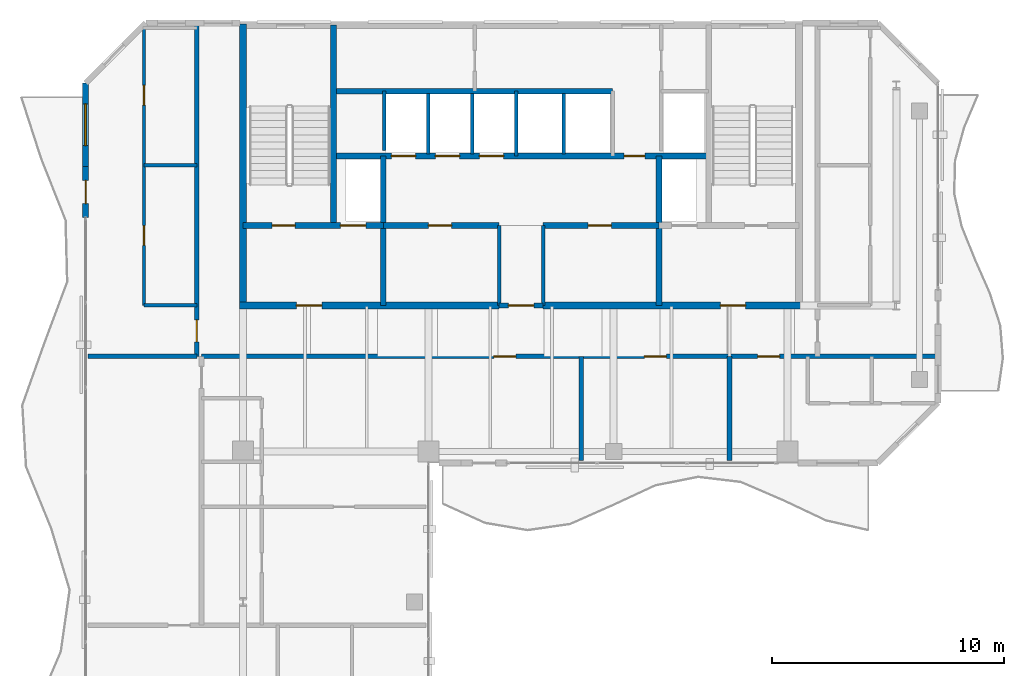
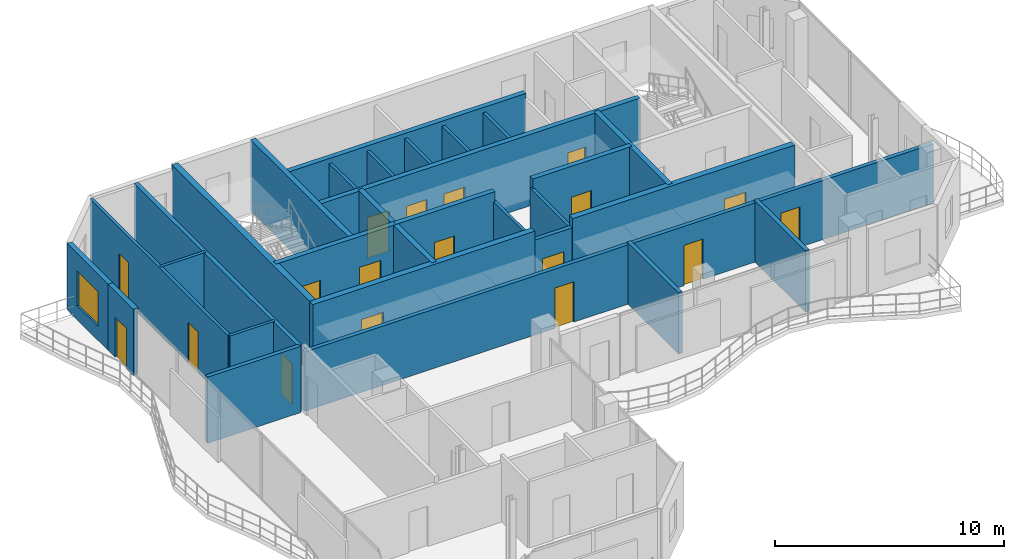
# One storey, part 12 of 16: 29 walls, 18 doors, 1 window, 19 openings.
"""IFC4 building model written with IfcOpenShell, lengths in metres."""

import ifcopenshell
import ifcopenshell.guid

model = None  # the IFC model being written
_history = None  # IfcOwnerHistory: only IFC2X3 demands one
_inside = {}  # id of a spatial element -> (the spatial element, [elements in it])
_under = {}  # id of a project, library or spatial element -> (it, [spatial elements below it])
_declared = {}  # id of a project -> (the project, [libraries it declares])
_typed = {}  # id of a type object -> (the type object, [elements of that type])
_made_of = {}  # id of a material, layer set ... -> (it, [elements and type objects made of it])


def new_model(schema):
    """Start an empty IFC model of exactly this schema.

    Asked for "IFC4X3", IfcOpenShell would pick the latest addendum, in which some entities
    have other attributes; the version numbers below select the first issue.
    IFC2X3 requires an IfcOwnerHistory on every rooted entity: one is made here for all.
    """
    global model, _history
    if schema == "IFC4X3":
        model = ifcopenshell.file(schema_version=(4, 3, 0, 0))
    else:
        model = ifcopenshell.file(schema=schema)
    _inside.clear()
    _under.clear()
    _declared.clear()
    _typed.clear()
    _made_of.clear()
    _history = None
    if model.schema == "IFC2X3":
        org = make("IfcOrganization", Name="unknown")
        user = make(
            "IfcPersonAndOrganization",
            ThePerson=make("IfcPerson", FamilyName="unknown"),
            TheOrganization=org,
        )
        app = make(
            "IfcApplication",
            ApplicationDeveloper=org,
            Version="unknown",
            ApplicationFullName="unknown",
            ApplicationIdentifier="unknown",
        )
        _history = make(
            "IfcOwnerHistory",
            OwningUser=user,
            OwningApplication=app,
            ChangeAction="ADDED",
            CreationDate=0,
        )
    return model


def make(cls, **values):
    """One entity of the class cls with the attributes given. An attribute that is None is left unset."""
    return model.create_entity(
        cls, **{name: value for name, value in values.items() if value is not None}
    )


def rooted(cls, **values):
    """An entity with a GlobalId (a new one), such as an element, a storey or a relation."""
    return make(cls, GlobalId=ifcopenshell.guid.new(), OwnerHistory=_history, **values)


def si_unit(unit_type, name, prefix=None):
    """IfcSIUnit, for example si_unit("LENGTHUNIT", "METRE", prefix="MILLI")."""
    return make("IfcSIUnit", UnitType=unit_type, Prefix=prefix, Name=name)


def assignment(units):
    """IfcUnitAssignment: the units of a project."""
    return None if units is None else make("IfcUnitAssignment", Units=units)


def point(xyz):
    """IfcCartesianPoint."""
    return None if xyz is None else make("IfcCartesianPoint", Coordinates=xyz)


def direction(xyz):
    """IfcDirection."""
    return None if xyz is None else make("IfcDirection", DirectionRatios=xyz)


def frame(location, z_axis=None, x_axis=None):
    """IfcAxis2Placement3D, a coordinate frame: its origin and axes. An axis left out is left unset."""
    return make(
        "IfcAxis2Placement3D",
        Location=point(location),
        Axis=direction(z_axis),
        RefDirection=direction(x_axis),
    )


def frame_2d(location, x_axis=None):
    """IfcAxis2Placement2D, a coordinate frame in the plane: its origin and x axis."""
    return make(
        "IfcAxis2Placement2D", Location=point(location), RefDirection=direction(x_axis)
    )


def origin():
    """The frame at (0, 0, 0) with its axes left unset."""
    return frame((0.0, 0.0, 0.0))


def place(relative_to, where):
    """IfcLocalPlacement: puts the frame where relative to a parent placement (None: the world)."""
    return make(
        "IfcLocalPlacement", PlacementRelTo=relative_to, RelativePlacement=where
    )


def context(
    kind, dimensions, precision=None, world=None, true_north=None, identifier=None
):
    """IfcGeometricRepresentationContext, for example the 3D "Model" context."""
    return make(
        "IfcGeometricRepresentationContext",
        ContextIdentifier=identifier,
        ContextType=kind,
        CoordinateSpaceDimension=dimensions,
        Precision=precision,
        WorldCoordinateSystem=world,
        TrueNorth=true_north,
    )


def subcontext(parent, identifier, kind, view, scale=None):
    """IfcGeometricRepresentationSubContext, for example "Body" below "Model"."""
    return make(
        "IfcGeometricRepresentationSubContext",
        ContextIdentifier=identifier,
        ContextType=kind,
        ParentContext=parent,
        TargetScale=scale,
        TargetView=view,
    )


def project(units=None, contexts=None):
    """IfcProject with its units and contexts."""
    return rooted(
        "IfcProject",
        Name="project",
        RepresentationContexts=contexts,
        UnitsInContext=assignment(units),
    )


def spatial(cls, under=None, at=None, **own):
    """A site, building, storey or space (cls), placed at a placement, below another one or the project."""
    s = rooted(cls, ObjectPlacement=at, **own)
    if under is not None:
        _under.setdefault(under.id(), (under, []))[1].append(s)
    return s


def profile(cls, at=None, kind="AREA", **sizes):
    """A parametric profile (cls). Its sizes go by their IFC names, for example OverallWidth=200.0."""
    return make(cls, ProfileType=kind, Position=at, **sizes)


def rectangle(**sizes):
    """IfcRectangleProfileDef."""
    return profile("IfcRectangleProfileDef", **sizes)


def extrude(swept, where, along, depth):
    """IfcExtrudedAreaSolid: the profile swept, set in the frame where, extruded along a direction by depth."""
    return make(
        "IfcExtrudedAreaSolid",
        SweptArea=swept,
        Position=where,
        ExtrudedDirection=direction(along),
        Depth=depth,
    )


def shape(context_of_items, identifier, shape_type, items):
    """IfcShapeRepresentation: the items that make up one representation, for example the "Body"."""
    return make(
        "IfcShapeRepresentation",
        ContextOfItems=context_of_items,
        RepresentationIdentifier=identifier,
        RepresentationType=shape_type,
        Items=items,
    )


def material(Name=None, Category=None):
    """IfcMaterial."""
    return make("IfcMaterial", Name=Name, Category=Category)


def layer(
    of_material, thickness, ventilated=None, Name=None, Category=None, Priority=None
):
    """IfcMaterialLayer: one layer of a wall or slab, of a material (None: an air gap)."""
    return make(
        "IfcMaterialLayer",
        Material=of_material,
        LayerThickness=thickness,
        IsVentilated=ventilated,
        Name=Name,
        Category=Category,
        Priority=Priority,
    )


def layer_set(layers, Name=None):
    """IfcMaterialLayerSet."""
    return make("IfcMaterialLayerSet", MaterialLayers=layers, LayerSetName=Name)


def made_of(thing, what):
    """Note that an element or type object is made of a material, layer set ...; save() writes the relation."""
    if what is not None:
        _made_of.setdefault(what.id(), (what, []))[1].append(thing)
    return thing


def type_object(cls, material=None, **own):
    """A type object (cls), such as IfcWallType, which elements share."""
    return made_of(rooted(cls, **own), material)


def element(
    cls,
    number,
    at=None,
    inside=None,
    cuts=None,
    type_object=None,
    material=None,
    context=None,
    identifier="Body",
    shape_type=None,
    held_by="IfcProductDefinitionShape",
    body=None,
    shapes=None,
    **own,
):
    """One element of the class cls, such as IfcWall. Its Tag is "e" and its number.

    at: its placement. inside: the storey or other place that contains it. cuts: it is an
    opening in that element (IfcRelVoidsElement). A single representation is given by context,
    identifier, shape_type and body (its items); several are given by shapes. held_by: the class
    of the entity that holds the representations. save() writes the other relations.
    """
    e = rooted(cls, Tag="e%d" % number, ObjectPlacement=at, **own)
    if body is not None:
        shapes = [shape(context, identifier, shape_type, body)]
    if shapes is not None:
        e.Representation = make(held_by, Representations=shapes)
    if inside is not None:
        _inside.setdefault(inside.id(), (inside, []))[1].append(e)
    if cuts is not None:
        rooted(
            "IfcRelVoidsElement", RelatingBuildingElement=cuts, RelatedOpeningElement=e
        )
    if type_object is not None:
        _typed.setdefault(type_object.id(), (type_object, []))[1].append(e)
    return made_of(e, material)


def fill(opening, filler):
    """IfcRelFillsElement: the door or window that sits in an opening."""
    return rooted(
        "IfcRelFillsElement",
        RelatingOpeningElement=opening,
        RelatedBuildingElement=filler,
    )


def aggregate(whole, parts):
    """IfcRelAggregates: a whole, such as a stair, and the parts it consists of."""
    return rooted("IfcRelAggregates", RelatingObject=whole, RelatedObjects=parts)


def save(model, path):
    """Write the relations noted so far, then the file.

    IfcRelAggregates (storeys below a building ...), IfcRelContainedInSpatialStructure (elements
    in a storey), IfcRelDefinesByType, IfcRelAssociatesMaterial and IfcRelDeclares: one each for
    every whole, place, type object, material and project.
    """
    for whole, parts in _under.values():
        aggregate(whole, parts)
    for where, things in _inside.values():
        rooted(
            "IfcRelContainedInSpatialStructure",
            RelatedElements=things,
            RelatingStructure=where,
        )
    for kind, things in _typed.values():
        rooted("IfcRelDefinesByType", RelatedObjects=things, RelatingType=kind)
    for what, things in _made_of.values():
        rooted("IfcRelAssociatesMaterial", RelatedObjects=things, RelatingMaterial=what)
    for by, libraries in _declared.values():
        rooted("IfcRelDeclares", RelatingContext=by, RelatedDefinitions=libraries)
    model.write(path)


model = new_model("IFC4")

# Units and contexts
model_context = context("Model", 3, precision=1e-05, world=origin(), true_north=direction((0.0, 1.0)))
body_context = subcontext(model_context, "Body", "Model", "MODEL_VIEW")
ifc_project = project(units=[si_unit("LENGTHUNIT", "METRE"), si_unit("AREAUNIT", "SQUARE_METRE"), si_unit("VOLUMEUNIT", "CUBIC_METRE"), si_unit("PLANEANGLEUNIT", "RADIAN"), si_unit("MASSUNIT", "GRAM", prefix="KILO")], contexts=[model_context])

# Site, building, storey
site_placement = place(None, origin())
site = spatial("IfcSite", under=ifc_project, at=site_placement, CompositionType="ELEMENT")
building_placement = place(site_placement, origin())
building = spatial("IfcBuilding", under=site, at=building_placement, Name="Catumbela Crestline Tower", CompositionType="ELEMENT")
storey_placement = place(building_placement, frame((0.0, 0.0, 275.4)))
storey = spatial("IfcBuildingStorey", under=building, at=storey_placement, Name="L71", CompositionType="ELEMENT", Elevation=275.4)

# Walls
ifc_material_1 = material(Name="Concrete C50/60", Category="concrete")
ifc_layer_1 = layer(ifc_material_1, 0.25, Name="Concrete C50/60")
ifc_layer_set_1 = layer_set([ifc_layer_1], Name="Concrete C50/60")
wall_type_1 = type_object("IfcWallType", Name="CW-250D", PredefinedType="SHEAR", material=ifc_layer_set_1)
wall_1_placement = place(storey_placement, frame((19.9, 34.25, 0.0), z_axis=(0.0, 0.0, 1.0), x_axis=(0.0, 1.0, 0.0)))
element("IfcWall", 1, at=wall_1_placement, inside=storey, type_object=wall_type_1, Name="L71 Structural Core Shear Wall WWEB", PredefinedType="SHEAR", context=body_context, shape_type="SweptSolid", body=[
    extrude(rectangle(XDim=8.65, YDim=0.25, at=frame_2d((4.325, 0.0))), origin(), (0.0, 0.0, 1.0), 3.8),
])
for number, where, z_axis, x_axis, name in (
    (2, (22.05, 30.8, 0.0), (0.0, 0.0, 1.0), (0.0, 1.0, 0.0), "L71 Structural Core Shear Wall FFW"),
    (3, (33.95, 30.8, 0.0), (0.0, 0.0, 1.0), (0.0, 1.0, 0.0), "L71 Structural Core Shear Wall FFE"),
):
    element("IfcWall", number, at=place(storey_placement, frame(where, z_axis=z_axis, x_axis=x_axis)), inside=storey, type_object=wall_type_1, Name=name, PredefinedType="SHEAR", context=body_context, shape_type="SweptSolid", body=[
        extrude(rectangle(XDim=6.45, YDim=0.25, at=frame_2d((3.225, 0.0))), origin(), (0.0, 0.0, 1.0), 3.8),
    ])

# Wall, openings, doors
wall_2_placement = place(storey_placement, frame((16.0, 34.25, 0.0), z_axis=(0.0, 0.0, 1.0), x_axis=(1.0, 0.0, 0.0)))
wall_2 = element("IfcWall", 4, at=wall_2_placement, inside=storey, type_object=wall_type_1, Name="L71 Structural Core Shear Wall ST1S", PredefinedType="SHEAR", context=body_context, shape_type="SweptSolid", body=[
    extrude(rectangle(XDim=6.05, YDim=0.25, at=frame_2d((3.025, 0.0))), origin(), (0.0, 0.0, 1.0), 3.8),
])
opening_1_placement = place(wall_2_placement, frame((1.25, 0.0, 0.0)))
opening_1 = element("IfcOpeningElement", 5, at=opening_1_placement, cuts=wall_2, Name="Opening DF9-100", PredefinedType="OPENING", context=body_context, shape_type="SweptSolid", body=[
    extrude(rectangle(XDim=1.0, YDim=2.15, at=frame_2d((0.5, 1.075))), frame((0.0, 0.135, 0.0), z_axis=(0.0, -1.0, 0.0), x_axis=(1.0, 0.0, 0.0)), (0.0, 0.0, 1.0), 0.27),
])
opening_2_placement = place(wall_2_placement, frame((4.2, 0.0, 0.0)))
opening_2 = element("IfcOpeningElement", 6, at=opening_2_placement, cuts=wall_2, Name="Opening LD-110", PredefinedType="OPENING", context=body_context, shape_type="SweptSolid", body=[
    extrude(rectangle(XDim=1.1, YDim=2.15, at=frame_2d((0.55, 1.075))), frame((0.0, 0.135, 0.0), z_axis=(0.0, -1.0, 0.0), x_axis=(1.0, 0.0, 0.0)), (0.0, 0.0, 1.0), 0.27),
])
ifc_material_2 = material(Name="Stainless steel EN 1.4401", Category="steel")
door_type_1 = type_object("IfcDoorType", Name="DF9-100", OperationType="NOTDEFINED", PredefinedType="DOOR", material=ifc_material_2)
door_1_placement = place(opening_1_placement, origin())
door_1 = element("IfcDoor", 7, at=door_1_placement, inside=storey, type_object=door_type_1, Name="L71 Interior Door DR-L71-ST01", OperationType="SINGLE_SWING_LEFT", OverallHeight=2.15, OverallWidth=1.0, PredefinedType="DOOR", context=body_context, shape_type="SweptSolid", body=[
    extrude(rectangle(XDim=1.0, YDim=2.15, at=frame_2d((0.5, 1.075))), frame((0.0, 0.025, 0.0), z_axis=(0.0, -1.0, 0.0), x_axis=(1.0, 0.0, 0.0)), (0.0, 0.0, 1.0), 0.05),
])
fill(opening_1, door_1)
door_type_2 = type_object("IfcDoorType", Name="LD-110", OperationType="NOTDEFINED", PredefinedType="DOOR", material=ifc_material_2)
door_2_placement = place(opening_2_placement, origin())
door_2 = element("IfcDoor", 8, at=door_2_placement, inside=storey, type_object=door_type_2, Name="L71 Lift Landing Sliding Door FL-01", OperationType="DOUBLE_DOOR_SLIDING", OverallHeight=2.15, OverallWidth=1.1, PredefinedType="DOOR", context=body_context, shape_type="SweptSolid", body=[
    extrude(rectangle(XDim=1.1, YDim=2.15, at=frame_2d((0.55, 1.075))), frame((0.0, 0.025, 0.0), z_axis=(0.0, -1.0, 0.0), x_axis=(1.0, 0.0, 0.0)), (0.0, 0.0, 1.0), 0.05),
])
fill(opening_2, door_2)

# Wall, opening, door
wall_3_placement = place(storey_placement, frame((22.05, 34.25, 0.0), z_axis=(0.0, 0.0, 1.0), x_axis=(1.0, 0.0, 0.0)))
wall_3 = element("IfcWall", 9, at=wall_3_placement, inside=storey, type_object=wall_type_1, Name="L71 Structural Core Shear Wall LIFTS-W", PredefinedType="SHEAR", context=body_context, shape_type="SweptSolid", body=[
    extrude(rectangle(XDim=5.0, YDim=0.25, at=frame_2d((2.5, 0.0))), origin(), (0.0, 0.0, 1.0), 3.8),
])
opening_3_placement = place(wall_3_placement, frame((1.95, 0.0, 0.0)))
opening_3 = element("IfcOpeningElement", 10, at=opening_3_placement, cuts=wall_3, Name="Opening DF9-100", PredefinedType="OPENING", context=body_context, shape_type="SweptSolid", body=[
    extrude(rectangle(XDim=1.0, YDim=2.15, at=frame_2d((0.5, 1.075))), frame((0.0, 0.135, 0.0), z_axis=(0.0, -1.0, 0.0), x_axis=(1.0, 0.0, 0.0)), (0.0, 0.0, 1.0), 0.27),
])
door_3_placement = place(opening_3_placement, origin())
door_3 = element("IfcDoor", 11, at=door_3_placement, inside=storey, type_object=door_type_1, Name="L71 Interior Door DR-L71-RECL1", OperationType="SINGLE_SWING_LEFT", OverallHeight=2.15, OverallWidth=1.0, PredefinedType="DOOR", context=body_context, shape_type="SweptSolid", body=[
    extrude(rectangle(XDim=1.0, YDim=2.15, at=frame_2d((0.5, 1.075))), frame((0.0, 0.025, 0.0), z_axis=(0.0, -1.0, 0.0), x_axis=(1.0, 0.0, 0.0)), (0.0, 0.0, 1.0), 0.05),
])
fill(opening_3, door_3)

wall_4_placement = place(storey_placement, frame((28.95, 34.25, 0.0), z_axis=(0.0, 0.0, 1.0), x_axis=(1.0, 0.0, 0.0)))
wall_4 = element("IfcWall", 12, at=wall_4_placement, inside=storey, type_object=wall_type_1, Name="L71 Structural Core Shear Wall LIFTS-E", PredefinedType="SHEAR", context=body_context, shape_type="SweptSolid", body=[
    extrude(rectangle(XDim=5.0, YDim=0.25, at=frame_2d((2.5, 0.0))), origin(), (0.0, 0.0, 1.0), 3.8),
])
opening_4_placement = place(wall_4_placement, frame((1.95, 0.0, 0.0)))
opening_4 = element("IfcOpeningElement", 13, at=opening_4_placement, cuts=wall_4, Name="Opening DF9-100", PredefinedType="OPENING", context=body_context, shape_type="SweptSolid", body=[
    extrude(rectangle(XDim=1.0, YDim=2.15, at=frame_2d((0.5, 1.075))), frame((0.0, 0.135, 0.0), z_axis=(0.0, -1.0, 0.0), x_axis=(1.0, 0.0, 0.0)), (0.0, 0.0, 1.0), 0.27),
])
door_4_placement = place(opening_4_placement, origin())
door_4 = element("IfcDoor", 14, at=door_4_placement, inside=storey, type_object=door_type_1, Name="L71 Interior Door DR-L71-RECL2", OperationType="SINGLE_SWING_RIGHT", OverallHeight=2.15, OverallWidth=1.0, PredefinedType="DOOR", context=body_context, shape_type="SweptSolid", body=[
    extrude(rectangle(XDim=1.0, YDim=2.15, at=frame_2d((0.5, 1.075))), frame((0.0, 0.025, 0.0), z_axis=(0.0, -1.0, 0.0), x_axis=(1.0, 0.0, 0.0)), (0.0, 0.0, 1.0), 0.05),
])
fill(opening_4, door_4)

# Wall, openings, doors
wall_5_placement = place(storey_placement, frame((19.9, 37.25, 0.0), z_axis=(0.0, 0.0, 1.0), x_axis=(1.0, 0.0, 0.0)))
wall_5 = element("IfcWall", 15, at=wall_5_placement, inside=storey, type_object=wall_type_1, Name="L71 Structural Core Shear Wall LIFTN", PredefinedType="SHEAR", context=body_context, shape_type="SweptSolid", body=[
    extrude(rectangle(XDim=16.2, YDim=0.25, at=frame_2d((8.1, 0.0))), origin(), (0.0, 0.0, 1.0), 3.8),
])
opening_5_placement = place(wall_5_placement, frame((12.55, 0.0, 0.0)))
opening_5 = element("IfcOpeningElement", 16, at=opening_5_placement, cuts=wall_5, Name="Opening DF9-090", PredefinedType="OPENING", context=body_context, shape_type="SweptSolid", body=[
    extrude(rectangle(XDim=0.9, YDim=2.15, at=frame_2d((0.45, 1.075))), frame((0.0, 0.135, 0.0), z_axis=(0.0, -1.0, 0.0), x_axis=(1.0, 0.0, 0.0)), (0.0, 0.0, 1.0), 0.27),
])
opening_6_placement = place(wall_5_placement, frame((2.5, 0.0, 0.0)))
opening_6 = element("IfcOpeningElement", 17, at=opening_6_placement, cuts=wall_5, Name="Opening LD-105", PredefinedType="OPENING", context=body_context, shape_type="SweptSolid", body=[
    extrude(rectangle(XDim=1.05, YDim=2.15, at=frame_2d((0.525, 1.075))), frame((0.0, 0.135, 0.0), z_axis=(0.0, -1.0, 0.0), x_axis=(1.0, 0.0, 0.0)), (0.0, 0.0, 1.0), 0.27),
])
opening_7_placement = place(wall_5_placement, frame((4.4, 0.0, 0.0)))
opening_7 = element("IfcOpeningElement", 18, at=opening_7_placement, cuts=wall_5, Name="Opening LD-105", PredefinedType="OPENING", context=body_context, shape_type="SweptSolid", body=[
    extrude(rectangle(XDim=1.05, YDim=2.15, at=frame_2d((0.525, 1.075))), frame((0.0, 0.135, 0.0), z_axis=(0.0, -1.0, 0.0), x_axis=(1.0, 0.0, 0.0)), (0.0, 0.0, 1.0), 0.27),
])
opening_8_placement = place(wall_5_placement, frame((6.3, 0.0, 0.0)))
opening_8 = element("IfcOpeningElement", 19, at=opening_8_placement, cuts=wall_5, Name="Opening LD-105", PredefinedType="OPENING", context=body_context, shape_type="SweptSolid", body=[
    extrude(rectangle(XDim=1.05, YDim=2.15, at=frame_2d((0.525, 1.075))), frame((0.0, 0.135, 0.0), z_axis=(0.0, -1.0, 0.0), x_axis=(1.0, 0.0, 0.0)), (0.0, 0.0, 1.0), 0.27),
])
door_type_3 = type_object("IfcDoorType", Name="DF9-090", OperationType="NOTDEFINED", PredefinedType="DOOR", material=ifc_material_2)
door_5_placement = place(opening_5_placement, origin())
door_5 = element("IfcDoor", 20, at=door_5_placement, inside=storey, type_object=door_type_3, Name="L71 Interior Door DR-L71-CPAS1", OperationType="SINGLE_SWING_LEFT", OverallHeight=2.15, OverallWidth=0.9, PredefinedType="DOOR", context=body_context, shape_type="SweptSolid", body=[
    extrude(rectangle(XDim=0.9, YDim=2.15, at=frame_2d((0.45, 1.075))), frame((0.0, 0.025, 0.0), z_axis=(0.0, -1.0, 0.0), x_axis=(1.0, 0.0, 0.0)), (0.0, 0.0, 1.0), 0.05),
])
fill(opening_5, door_5)
door_type_4 = type_object("IfcDoorType", Name="LD-105", OperationType="NOTDEFINED", PredefinedType="DOOR", material=ifc_material_2)
door_6_placement = place(opening_6_placement, origin())
door_6 = element("IfcDoor", 21, at=door_6_placement, inside=storey, type_object=door_type_4, Name="L71 Lift Landing Sliding Door PL-H1", OperationType="DOUBLE_DOOR_SLIDING", OverallHeight=2.15, OverallWidth=1.05, PredefinedType="DOOR", context=body_context, shape_type="SweptSolid", body=[
    extrude(rectangle(XDim=1.05, YDim=2.15, at=frame_2d((0.525, 1.075))), frame((0.0, 0.025, 0.0), z_axis=(0.0, -1.0, 0.0), x_axis=(1.0, 0.0, 0.0)), (0.0, 0.0, 1.0), 0.05),
])
fill(opening_6, door_6)
door_7_placement = place(opening_7_placement, origin())
door_7 = element("IfcDoor", 22, at=door_7_placement, inside=storey, type_object=door_type_4, Name="L71 Lift Landing Sliding Door PL-H2", OperationType="DOUBLE_DOOR_SLIDING", OverallHeight=2.15, OverallWidth=1.05, PredefinedType="DOOR", context=body_context, shape_type="SweptSolid", body=[
    extrude(rectangle(XDim=1.05, YDim=2.15, at=frame_2d((0.525, 1.075))), frame((0.0, 0.025, 0.0), z_axis=(0.0, -1.0, 0.0), x_axis=(1.0, 0.0, 0.0)), (0.0, 0.0, 1.0), 0.05),
])
fill(opening_7, door_7)
door_8_placement = place(opening_8_placement, origin())
door_8 = element("IfcDoor", 23, at=door_8_placement, inside=storey, type_object=door_type_4, Name="L71 Lift Landing Sliding Door PL-H3", OperationType="DOUBLE_DOOR_SLIDING", OverallHeight=2.15, OverallWidth=1.05, PredefinedType="DOOR", context=body_context, shape_type="SweptSolid", body=[
    extrude(rectangle(XDim=1.05, YDim=2.15, at=frame_2d((0.525, 1.075))), frame((0.0, 0.025, 0.0), z_axis=(0.0, -1.0, 0.0), x_axis=(1.0, 0.0, 0.0)), (0.0, 0.0, 1.0), 0.05),
])
fill(opening_8, door_8)

# Walls
wall_6_placement = place(storey_placement, frame((19.9, 40.05, 0.0), z_axis=(0.0, 0.0, 1.0), x_axis=(1.0, 0.0, 0.0)))
element("IfcWall", 24, at=wall_6_placement, inside=storey, type_object=wall_type_1, Name="L71 Structural Core Shear Wall COREN", PredefinedType="SHEAR", context=body_context, shape_type="SweptSolid", body=[
    extrude(rectangle(XDim=12.05, YDim=0.25, at=frame_2d((6.025, 0.0))), origin(), (0.0, 0.0, 1.0), 3.8),
])
ifc_material_3 = material(Name="Concrete C45/55", Category="concrete")
ifc_layer_2 = layer(ifc_material_3, 0.3, Name="Concrete C45/55")
ifc_layer_set_2 = layer_set([ifc_layer_2], Name="Concrete C45/55")
wall_type_2 = type_object("IfcWallType", Name="CW-300C", PredefinedType="SHEAR", material=ifc_layer_set_2)
wall_7_placement = place(storey_placement, frame((16.0, 30.65, 0.0), z_axis=(0.0, 0.0, 1.0), x_axis=(0.0, 1.0, 0.0)))
element("IfcWall", 25, at=wall_7_placement, inside=storey, type_object=wall_type_2, Name="L71 Structural Core Shear Wall W", PredefinedType="SHEAR", context=body_context, shape_type="SweptSolid", body=[
    extrude(rectangle(XDim=12.3, YDim=0.3, at=frame_2d((6.15, 0.0))), origin(), (0.0, 0.0, 1.0), 3.8),
])

# Wall, opening, door
wall_8_placement = place(storey_placement, frame((15.85, 30.8, 0.0), z_axis=(0.0, 0.0, 1.0), x_axis=(1.0, 0.0, 0.0)))
wall_8 = element("IfcWall", 26, at=wall_8_placement, inside=storey, type_object=wall_type_2, Name="L71 Structural Core Shear Wall SW", PredefinedType="SHEAR", context=body_context, shape_type="SweptSolid", body=[
    extrude(rectangle(XDim=11.2, YDim=0.3, at=frame_2d((5.6, 0.0))), origin(), (0.0, 0.0, 1.0), 3.8),
])
opening_9_placement = place(wall_8_placement, frame((2.45, 0.0, 0.0)))
opening_9 = element("IfcOpeningElement", 27, at=opening_9_placement, cuts=wall_8, Name="Opening DF9-110", PredefinedType="OPENING", context=body_context, shape_type="SweptSolid", body=[
    extrude(rectangle(XDim=1.1, YDim=2.15, at=frame_2d((0.55, 1.075))), frame((0.0, 0.16, 0.0), z_axis=(0.0, -1.0, 0.0), x_axis=(1.0, 0.0, 0.0)), (0.0, 0.0, 1.0), 0.32),
])
door_type_5 = type_object("IfcDoorType", Name="DF9-110", OperationType="NOTDEFINED", PredefinedType="DOOR", material=ifc_material_2)
door_9_placement = place(opening_9_placement, origin())
door_9 = element("IfcDoor", 28, at=door_9_placement, inside=storey, type_object=door_type_5, Name="L71 Interior Door DR-L71-FFW-S", OperationType="SINGLE_SWING_LEFT", OverallHeight=2.15, OverallWidth=1.1, PredefinedType="DOOR", context=body_context, shape_type="SweptSolid", body=[
    extrude(rectangle(XDim=1.1, YDim=2.15, at=frame_2d((0.55, 1.075))), frame((0.0, 0.025, 0.0), z_axis=(0.0, -1.0, 0.0), x_axis=(1.0, 0.0, 0.0)), (0.0, 0.0, 1.0), 0.05),
])
fill(opening_9, door_9)

wall_9_placement = place(storey_placement, frame((28.95, 30.8, 0.0), z_axis=(0.0, 0.0, 1.0), x_axis=(1.0, 0.0, 0.0)))
wall_9 = element("IfcWall", 29, at=wall_9_placement, inside=storey, type_object=wall_type_2, Name="L71 Structural Core Shear Wall SE", PredefinedType="SHEAR", context=body_context, shape_type="SweptSolid", body=[
    extrude(rectangle(XDim=11.2, YDim=0.3, at=frame_2d((5.6, 0.0))), origin(), (0.0, 0.0, 1.0), 3.8),
])
opening_10_placement = place(wall_9_placement, frame((7.65, 0.0, 0.0)))
opening_10 = element("IfcOpeningElement", 30, at=opening_10_placement, cuts=wall_9, Name="Opening DF9-110", PredefinedType="OPENING", context=body_context, shape_type="SweptSolid", body=[
    extrude(rectangle(XDim=1.1, YDim=2.15, at=frame_2d((0.55, 1.075))), frame((0.0, 0.16, 0.0), z_axis=(0.0, -1.0, 0.0), x_axis=(1.0, 0.0, 0.0)), (0.0, 0.0, 1.0), 0.32),
])
door_10_placement = place(opening_10_placement, origin())
door_10 = element("IfcDoor", 31, at=door_10_placement, inside=storey, type_object=door_type_5, Name="L71 Interior Door DR-L71-FFE-S", OperationType="SINGLE_SWING_RIGHT", OverallHeight=2.15, OverallWidth=1.1, PredefinedType="DOOR", context=body_context, shape_type="SweptSolid", body=[
    extrude(rectangle(XDim=1.1, YDim=2.15, at=frame_2d((0.55, 1.075))), frame((0.0, 0.025, 0.0), z_axis=(0.0, -1.0, 0.0), x_axis=(1.0, 0.0, 0.0)), (0.0, 0.0, 1.0), 0.05),
])
fill(opening_10, door_10)

ifc_material_4 = material(Name="Acoustic gypsum and mineral-wool partition")
ifc_layer_3 = layer(ifc_material_4, 0.2, Name="Acoustic gypsum and mineral-wool partition")
ifc_layer_set_3 = layer_set([ifc_layer_3], Name="Acoustic gypsum and mineral-wool partition")
wall_type_3 = type_object("IfcWallType", Name="WC-200", PredefinedType="PARTITIONING", material=ifc_layer_set_3)
wall_10_placement = place(storey_placement, frame((27.05, 30.8, 0.0), z_axis=(0.0, 0.0, 1.0), x_axis=(1.0, 0.0, 0.0)))
wall_10 = element("IfcWall", 32, at=wall_10_placement, inside=storey, type_object=wall_type_3, Name="L71 Interior Partition PW-L71-CLOBS", PredefinedType="PARTITIONING", context=body_context, shape_type="SweptSolid", body=[
    extrude(rectangle(XDim=1.9, YDim=0.2, at=frame_2d((0.95, 0.0))), origin(), (0.0, 0.0, 1.0), 3.28),
])
opening_11_placement = place(wall_10_placement, frame((0.4, 0.0, 0.0)))
opening_11 = element("IfcOpeningElement", 33, at=opening_11_placement, cuts=wall_10, Name="Opening DF9-110", PredefinedType="OPENING", context=body_context, shape_type="SweptSolid", body=[
    extrude(rectangle(XDim=1.1, YDim=2.15, at=frame_2d((0.55, 1.075))), frame((0.0, 0.11, 0.0), z_axis=(0.0, -1.0, 0.0), x_axis=(1.0, 0.0, 0.0)), (0.0, 0.0, 1.0), 0.22),
])
door_11_placement = place(opening_11_placement, origin())
door_11 = element("IfcDoor", 34, at=door_11_placement, inside=storey, type_object=door_type_5, Name="L71 Interior Door DR-L71-CLOBS", OperationType="SINGLE_SWING_LEFT", OverallHeight=2.15, OverallWidth=1.1, PredefinedType="DOOR", context=body_context, shape_type="SweptSolid", body=[
    extrude(rectangle(XDim=1.1, YDim=2.15, at=frame_2d((0.55, 1.075))), frame((0.0, 0.025, 0.0), z_axis=(0.0, -1.0, 0.0), x_axis=(1.0, 0.0, 0.0)), (0.0, 0.0, 1.0), 0.05),
])
fill(opening_11, door_11)

# Wall, openings, doors
wall_11_placement = place(storey_placement, frame((14.2, 28.6, 0.0), z_axis=(0.0, 0.0, 1.0), x_axis=(1.0, 0.0, 0.0)))
wall_11 = element("IfcWall", 35, at=wall_11_placement, inside=storey, type_object=wall_type_3, Name="L71 Interior Partition PW-L71-RCWR", PredefinedType="PARTITIONING", context=body_context, shape_type="SweptSolid", body=[
    extrude(rectangle(XDim=31.7, YDim=0.2, at=frame_2d((15.85, 0.0))), origin(), (0.0, 0.0, 1.0), 3.16),
])
opening_12_placement = place(wall_11_placement, frame((12.625, 0.0, 0.0)))
opening_12 = element("IfcOpeningElement", 36, at=opening_12_placement, cuts=wall_11, Name="Opening DF6-095", PredefinedType="OPENING", context=body_context, shape_type="SweptSolid", body=[
    extrude(rectangle(XDim=0.95, YDim=2.15, at=frame_2d((0.475, 1.075))), frame((0.0, 0.11, 0.0), z_axis=(0.0, -1.0, 0.0), x_axis=(1.0, 0.0, 0.0)), (0.0, 0.0, 1.0), 0.22),
])
opening_13_placement = place(wall_11_placement, frame((19.125, 0.0, 0.0)))
opening_13 = element("IfcOpeningElement", 37, at=opening_13_placement, cuts=wall_11, Name="Opening DF6-095", PredefinedType="OPENING", context=body_context, shape_type="SweptSolid", body=[
    extrude(rectangle(XDim=0.95, YDim=2.15, at=frame_2d((0.475, 1.075))), frame((0.0, 0.11, 0.0), z_axis=(0.0, -1.0, 0.0), x_axis=(1.0, 0.0, 0.0)), (0.0, 0.0, 1.0), 0.22),
])
opening_14_placement = place(wall_11_placement, frame((24.016, 0.0, 0.0)))
opening_14 = element("IfcOpeningElement", 38, at=opening_14_placement, cuts=wall_11, Name="Opening DF6-095", PredefinedType="OPENING", context=body_context, shape_type="SweptSolid", body=[
    extrude(rectangle(XDim=0.95, YDim=2.15, at=frame_2d((0.475, 1.075))), frame((0.0, 0.11, 0.0), z_axis=(0.0, -1.0, 0.0), x_axis=(1.0, 0.0, 0.0)), (0.0, 0.0, 1.0), 0.22),
])
ifc_material_5 = material(Name="Aluminium alloy AW-6060-T66", Category="aluminium")
door_type_6 = type_object("IfcDoorType", Name="DF6-095", OperationType="NOTDEFINED", PredefinedType="DOOR", material=ifc_material_5)
door_12_placement = place(opening_12_placement, origin())
door_12 = element("IfcDoor", 39, at=door_12_placement, inside=storey, type_object=door_type_6, Name="L71 Interior Door DR-L71-Z4G51-ENT", OperationType="SINGLE_SWING_RIGHT", OverallHeight=2.15, OverallWidth=0.95, PredefinedType="DOOR", context=body_context, shape_type="SweptSolid", body=[
    extrude(rectangle(XDim=0.95, YDim=2.15, at=frame_2d((0.475, 1.075))), frame((0.0, 0.025, 0.0), z_axis=(0.0, -1.0, 0.0), x_axis=(1.0, 0.0, 0.0)), (0.0, 0.0, 1.0), 0.05),
])
fill(opening_12, door_12)
door_13_placement = place(opening_13_placement, origin())
door_13 = element("IfcDoor", 40, at=door_13_placement, inside=storey, type_object=door_type_6, Name="L71 Interior Door DR-L71-Z4G52-ENT", OperationType="SINGLE_SWING_LEFT", OverallHeight=2.15, OverallWidth=0.95, PredefinedType="DOOR", context=body_context, shape_type="SweptSolid", body=[
    extrude(rectangle(XDim=0.95, YDim=2.15, at=frame_2d((0.475, 1.075))), frame((0.0, 0.025, 0.0), z_axis=(0.0, -1.0, 0.0), x_axis=(1.0, 0.0, 0.0)), (0.0, 0.0, 1.0), 0.05),
])
fill(opening_13, door_13)
door_14_placement = place(opening_14_placement, origin())
door_14 = element("IfcDoor", 41, at=door_14_placement, inside=storey, type_object=door_type_6, Name="L71 Interior Door DR-L71-S3-ENT", OperationType="SINGLE_SWING_LEFT", OverallHeight=2.15, OverallWidth=0.95, PredefinedType="DOOR", context=body_context, shape_type="SweptSolid", body=[
    extrude(rectangle(XDim=0.95, YDim=2.15, at=frame_2d((0.475, 1.075))), frame((0.0, 0.025, 0.0), z_axis=(0.0, -1.0, 0.0), x_axis=(1.0, 0.0, 0.0)), (0.0, 0.0, 1.0), 0.05),
])
fill(opening_14, door_14)

# Wall, opening, door
wall_12_placement = place(storey_placement, frame((14.0, 28.6, 0.0), z_axis=(0.0, 0.0, 1.0), x_axis=(0.0, 1.0, 0.0)))
wall_12 = element("IfcWall", 42, at=wall_12_placement, inside=storey, type_object=wall_type_3, Name="L71 Interior Partition PW-L71-NW1-ENT", PredefinedType="PARTITIONING", context=body_context, shape_type="SweptSolid", body=[
    extrude(rectangle(XDim=14.3, YDim=0.2, at=frame_2d((7.15, 0.0))), origin(), (0.0, 0.0, 1.0), 3.53),
])
opening_15_placement = place(wall_12_placement, frame((0.625, 0.0, 0.0)))
opening_15 = element("IfcOpeningElement", 43, at=opening_15_placement, cuts=wall_12, Name="Opening DF6-095", PredefinedType="OPENING", context=body_context, shape_type="SweptSolid", body=[
    extrude(rectangle(XDim=0.95, YDim=2.15, at=frame_2d((0.475, 1.075))), frame((0.0, 0.11, 0.0), z_axis=(0.0, -1.0, 0.0), x_axis=(1.0, 0.0, 0.0)), (0.0, 0.0, 1.0), 0.22),
])
door_15_placement = place(opening_15_placement, origin())
door_15 = element("IfcDoor", 44, at=door_15_placement, inside=storey, type_object=door_type_6, Name="L71 Interior Door DR-L71-NW1-ENT", OperationType="SINGLE_SWING_LEFT", OverallHeight=2.15, OverallWidth=0.95, PredefinedType="DOOR", context=body_context, shape_type="SweptSolid", body=[
    extrude(rectangle(XDim=0.95, YDim=2.15, at=frame_2d((0.475, 1.075))), frame((0.0, 0.025, 0.0), z_axis=(0.0, -1.0, 0.0), x_axis=(1.0, 0.0, 0.0)), (0.0, 0.0, 1.0), 0.05),
])
fill(opening_15, door_15)

ifc_material_6 = material(Name="Angolan grey-ochre granite", Category="masonry")
ifc_layer_4 = layer(ifc_material_6, 0.25, Name="Angolan grey-ochre granite")
ifc_layer_set_4 = layer_set([ifc_layer_4], Name="Angolan grey-ochre granite")
wall_type_4 = type_object("IfcWallType", Name="WE-250", PredefinedType="STANDARD", material=ifc_layer_set_4)
wall_13_placement = place(storey_placement, frame((9.2, 36.8, 0.0), z_axis=(0.0, 0.0, 1.0), x_axis=(0.0, -1.0, 0.0)))
wall_13 = element("IfcWall", 45, at=wall_13_placement, inside=storey, type_object=wall_type_4, Name="L71 Exterior Threshold Portal Wall DR-L71-WBAL-4", PredefinedType="STANDARD", context=body_context, shape_type="SweptSolid", body=[
    extrude(rectangle(XDim=2.2, YDim=0.25, at=frame_2d((1.1, 0.0))), origin(), (0.0, 0.0, 1.0), 3.53),
])
opening_16_placement = place(wall_13_placement, frame((0.6, 0.0, 0.0)))
opening_16 = element("IfcOpeningElement", 46, at=opening_16_placement, cuts=wall_13, Name="Opening DB-L71-4", PredefinedType="OPENING", context=body_context, shape_type="SweptSolid", body=[
    extrude(rectangle(XDim=1.0, YDim=2.15, at=frame_2d((0.5, 1.075))), frame((0.0, 0.135, 0.0), z_axis=(0.0, -1.0, 0.0), x_axis=(1.0, 0.0, 0.0)), (0.0, 0.0, 1.0), 0.27),
])
door_type_7 = type_object("IfcDoorType", Name="DB-1000", OperationType="NOTDEFINED", PredefinedType="DOOR", material=ifc_material_5)
door_16_placement = place(opening_16_placement, origin())
door_16 = element("IfcDoor", 47, at=door_16_placement, inside=storey, type_object=door_type_7, Name="L71 Wave Balcony Terrace Door 4", OperationType="SINGLE_SWING_RIGHT", OverallHeight=2.15, OverallWidth=1.0, PredefinedType="DOOR", context=body_context, shape_type="SweptSolid", body=[
    extrude(rectangle(XDim=1.0, YDim=2.15, at=frame_2d((0.5, 1.075))), frame((0.0, 0.025, 0.0), z_axis=(0.0, -1.0, 0.0), x_axis=(1.0, 0.0, 0.0)), (0.0, 0.0, 1.0), 0.05),
])
fill(opening_16, door_16)

# Wall, opening, window
wall_14_placement = place(storey_placement, frame((9.2, 40.4, 0.0), z_axis=(0.0, 0.0, 1.0), x_axis=(0.0, -1.0, 0.0)))
wall_14 = element("IfcWall", 48, at=wall_14_placement, inside=storey, type_object=wall_type_4, Name="L71 Granite Punched Window Wall 9-1", PredefinedType="STANDARD", context=body_context, shape_type="SweptSolid", body=[
    extrude(rectangle(XDim=3.6, YDim=0.25, at=frame_2d((1.8, 0.0))), origin(), (0.0, 0.0, 1.0), 3.53),
])
opening_17_placement = place(wall_14_placement, frame((0.9, 0.0, 0.75)))
opening_17 = element("IfcOpeningElement", 49, at=opening_17_placement, cuts=wall_14, Name="Opening WN-01", PredefinedType="OPENING", context=body_context, shape_type="SweptSolid", body=[
    extrude(rectangle(XDim=1.8, YDim=1.85, at=frame_2d((0.9, 0.925))), frame((0.0, 0.135, 0.0), z_axis=(0.0, -1.0, 0.0), x_axis=(1.0, 0.0, 0.0)), (0.0, 0.0, 1.0), 0.27),
])
ifc_material_7 = material(Name="Low-E laminated solar-control double glazing", Category="glass")
window_type = type_object("IfcWindowType", Name="WF-1800", PartitioningType="SINGLE_PANEL", PredefinedType="WINDOW", material=ifc_material_7)
window_placement = place(opening_17_placement, origin())
window = element("IfcWindow", 50, at=window_placement, inside=storey, type_object=window_type, Name="L71 Facade Vision Window 575", OverallHeight=1.85, OverallWidth=1.8, PartitioningType="SINGLE_PANEL", PredefinedType="WINDOW", context=body_context, shape_type="SweptSolid", body=[
    extrude(rectangle(XDim=1.8, YDim=1.85, at=frame_2d((0.9, 0.925))), frame((0.0, 0.03, 0.0), z_axis=(0.0, -1.0, 0.0), x_axis=(1.0, 0.0, 0.0)), (0.0, 0.0, 1.0), 0.06),
])
fill(opening_17, window)

# Walls
ifc_layer_5 = layer(ifc_material_4, 0.15, Name="Acoustic gypsum and mineral-wool partition")
ifc_layer_set_5 = layer_set([ifc_layer_5], Name="Acoustic gypsum and mineral-wool partition")
wall_type_5 = type_object("IfcWallType", Name="WP-150", PredefinedType="PARTITIONING", material=ifc_layer_set_5)
for number, where, z_axis, x_axis, name in (
    (51, (11.72, 30.8, 0.0), (0.0, 0.0, 1.0), (1.0, 0.0, 0.0), "L71 Interior Partition PW-L71-NW1-KBS"),
    (52, (11.72, 36.85, 0.0), (0.0, 0.0, 1.0), (1.0, 0.0, 0.0), "L71 Interior Partition PW-L71-NW1-KBM"),
):
    element("IfcWall", number, at=place(storey_placement, frame(where, z_axis=z_axis, x_axis=x_axis)), inside=storey, type_object=wall_type_5, Name=name, PredefinedType="PARTITIONING", context=body_context, shape_type="SweptSolid", body=[
        extrude(rectangle(XDim=2.28, YDim=0.15, at=frame_2d((1.14, 0.0))), origin(), (0.0, 0.0, 1.0), 3.53),
    ])

# Wall, openings, doors
wall_15_placement = place(storey_placement, frame((11.72, 30.8, 0.0), z_axis=(0.0, 0.0, 1.0), x_axis=(0.0, 1.0, 0.0)))
wall_15 = element("IfcWall", 53, at=wall_15_placement, inside=storey, type_object=wall_type_5, Name="L71 Interior Partition PW-L71-NW1-SK1", PredefinedType="PARTITIONING", context=body_context, shape_type="SweptSolid", body=[
    extrude(rectangle(XDim=12.02, YDim=0.15, at=frame_2d((6.01, 0.0))), origin(), (0.0, 0.0, 1.0), 3.53),
])
opening_18_placement = place(wall_15_placement, frame((2.6, 0.0, 0.0)))
opening_18 = element("IfcOpeningElement", 54, at=opening_18_placement, cuts=wall_15, Name="Opening DI-085", PredefinedType="OPENING", context=body_context, shape_type="SweptSolid", body=[
    extrude(rectangle(XDim=0.85, YDim=2.15, at=frame_2d((0.425, 1.075))), frame((0.0, 0.085, 0.0), z_axis=(0.0, -1.0, 0.0), x_axis=(1.0, 0.0, 0.0)), (0.0, 0.0, 1.0), 0.17),
])
opening_19_placement = place(wall_15_placement, frame((8.65, 0.0, 0.0)))
opening_19 = element("IfcOpeningElement", 55, at=opening_19_placement, cuts=wall_15, Name="Opening DI-085", PredefinedType="OPENING", context=body_context, shape_type="SweptSolid", body=[
    extrude(rectangle(XDim=0.85, YDim=2.15, at=frame_2d((0.425, 1.075))), frame((0.0, 0.085, 0.0), z_axis=(0.0, -1.0, 0.0), x_axis=(1.0, 0.0, 0.0)), (0.0, 0.0, 1.0), 0.17),
])
door_type_8 = type_object("IfcDoorType", Name="DI-085", OperationType="NOTDEFINED", PredefinedType="DOOR", material=ifc_material_5)
door_17_placement = place(opening_18_placement, origin())
door_17 = element("IfcDoor", 56, at=door_17_placement, inside=storey, type_object=door_type_8, Name="L71 Interior Door DR-L71-NW1-KIT", OperationType="SINGLE_SWING_LEFT", OverallHeight=2.15, OverallWidth=0.85, PredefinedType="DOOR", context=body_context, shape_type="SweptSolid", body=[
    extrude(rectangle(XDim=0.85, YDim=2.15, at=frame_2d((0.425, 1.075))), frame((0.0, 0.025, 0.0), z_axis=(0.0, -1.0, 0.0), x_axis=(1.0, 0.0, 0.0)), (0.0, 0.0, 1.0), 0.05),
])
fill(opening_18, door_17)
door_18_placement = place(opening_19_placement, origin())
door_18 = element("IfcDoor", 57, at=door_18_placement, inside=storey, type_object=door_type_8, Name="L71 Interior Door DR-L71-NW1-BTH", OperationType="SINGLE_SWING_RIGHT", OverallHeight=2.15, OverallWidth=0.85, PredefinedType="DOOR", context=body_context, shape_type="SweptSolid", body=[
    extrude(rectangle(XDim=0.85, YDim=2.15, at=frame_2d((0.425, 1.075))), frame((0.0, 0.025, 0.0), z_axis=(0.0, -1.0, 0.0), x_axis=(1.0, 0.0, 0.0)), (0.0, 0.0, 1.0), 0.05),
])
fill(opening_19, door_18)

# Walls
ifc_layer_6 = layer(ifc_material_4, 0.2, Name="Acoustic gypsum and mineral-wool partition")
ifc_layer_set_6 = layer_set([ifc_layer_6], Name="Acoustic gypsum and mineral-wool partition")
wall_type_6 = type_object("IfcWallType", Name="WY-200", PredefinedType="PARTITIONING", material=ifc_layer_set_6)
wall_16_placement = place(storey_placement, frame((9.3, 28.6, 0.0), z_axis=(0.0, 0.0, 1.0), x_axis=(1.0, 0.0, 0.0)))
element("IfcWall", 58, at=wall_16_placement, inside=storey, type_object=wall_type_6, Name="L71 Interior Partition PW-L71-RCWNW", PredefinedType="PARTITIONING", context=body_context, shape_type="SweptSolid", body=[
    extrude(rectangle(XDim=4.7, YDim=0.2, at=frame_2d((2.35, 0.0))), origin(), (0.0, 0.0, 1.0), 3.53),
])
for number, where, z_axis, x_axis, name in (
    (59, (30.6, 24.1, 0.0), (0.0, 0.0, 1.0), (0.0, 1.0, 0.0), "L71 Interior Partition PW-L71-RSPP-2"),
    (60, (37.0, 24.1, 0.0), (0.0, 0.0, 1.0), (0.0, 1.0, 0.0), "L71 Interior Partition PW-L71-RSPP-3"),
):
    element("IfcWall", number, at=place(storey_placement, frame(where, z_axis=z_axis, x_axis=x_axis)), inside=storey, type_object=wall_type_6, Name=name, PredefinedType="PARTITIONING", context=body_context, shape_type="SweptSolid", body=[
        extrude(rectangle(XDim=4.5, YDim=0.2, at=frame_2d((2.25, 0.0))), origin(), (0.0, 0.0, 1.0), 3.27),
    ])
ifc_layer_7 = layer(ifc_material_4, 0.15, Name="Acoustic gypsum and mineral-wool partition")
ifc_layer_set_7 = layer_set([ifc_layer_7], Name="Acoustic gypsum and mineral-wool partition")
wall_type_7 = type_object("IfcWallType", Name="WS-150", PredefinedType="PLUMBINGWALL", material=ifc_layer_set_7)
for number, where, z_axis, x_axis, name in (
    (61, (27.05, 30.8, 0.0), (0.0, 0.0, 1.0), (0.0, 1.0, 0.0), "L71 Interior Partition PW-L71-THRW"),
    (62, (28.95, 30.8, 0.0), (0.0, 0.0, 1.0), (0.0, 1.0, 0.0), "L71 Interior Partition PW-L71-THRE"),
):
    element("IfcWall", number, at=place(storey_placement, frame(where, z_axis=z_axis, x_axis=x_axis)), inside=storey, type_object=wall_type_7, Name=name, PredefinedType="PLUMBINGWALL", context=body_context, shape_type="SweptSolid", body=[
        extrude(rectangle(XDim=3.45, YDim=0.15, at=frame_2d((1.725, 0.0))), origin(), (0.0, 0.0, 1.0), 3.28),
    ])
wall_17_placement = place(storey_placement, frame((22.1, 37.4897, 0.0), z_axis=(0.0, 0.0, 1.0), x_axis=(0.0, 1.0, 0.0)))
element("IfcWall", 63, at=wall_17_placement, inside=storey, type_object=wall_type_7, Name="L71 Interior Partition PW-L71-SHH0", PredefinedType="PLUMBINGWALL", context=body_context, shape_type="SweptSolid", body=[
    extrude(rectangle(XDim=2.5603, YDim=0.15, at=frame_2d((1.2801, 0.0))), origin(), (0.0, 0.0, 1.0), 3.53),
])
wall_18_placement = place(storey_placement, frame((27.8, 37.25, 0.0), z_axis=(0.0, 0.0, 1.0), x_axis=(0.0, 1.0, 0.0)))
element("IfcWall", 64, at=wall_18_placement, inside=storey, type_object=wall_type_7, Name="L71 Interior Partition PW-L71-SHH3", PredefinedType="PLUMBINGWALL", context=body_context, shape_type="SweptSolid", body=[
    extrude(rectangle(XDim=2.8, YDim=0.15, at=frame_2d((1.4, 0.0))), origin(), (0.0, 0.0, 1.0), 3.53),
])
for number, where, z_axis, x_axis, name in (
    (65, (24.0, 37.35, 0.0), (0.0, 0.0, 1.0), (0.0, 1.0, 0.0), "L71 Interior Partition PW-L71-SHH1"),
    (66, (25.9, 37.35, 0.0), (0.0, 0.0, 1.0), (0.0, 1.0, 0.0), "L71 Interior Partition PW-L71-SHH2"),
    (67, (29.85, 37.35, 0.0), (0.0, 0.0, 1.0), (0.0, 1.0, 0.0), "L71 Interior Partition PW-L71-SHEX1"),
):
    element("IfcWall", number, at=place(storey_placement, frame(where, z_axis=z_axis, x_axis=x_axis)), inside=storey, type_object=wall_type_7, Name=name, PredefinedType="PLUMBINGWALL", context=body_context, shape_type="SweptSolid", body=[
        extrude(rectangle(XDim=2.6, YDim=0.15, at=frame_2d((1.3, 0.0))), origin(), (0.0, 0.0, 1.0), 3.53),
    ])

save(model, "model.ifc")
